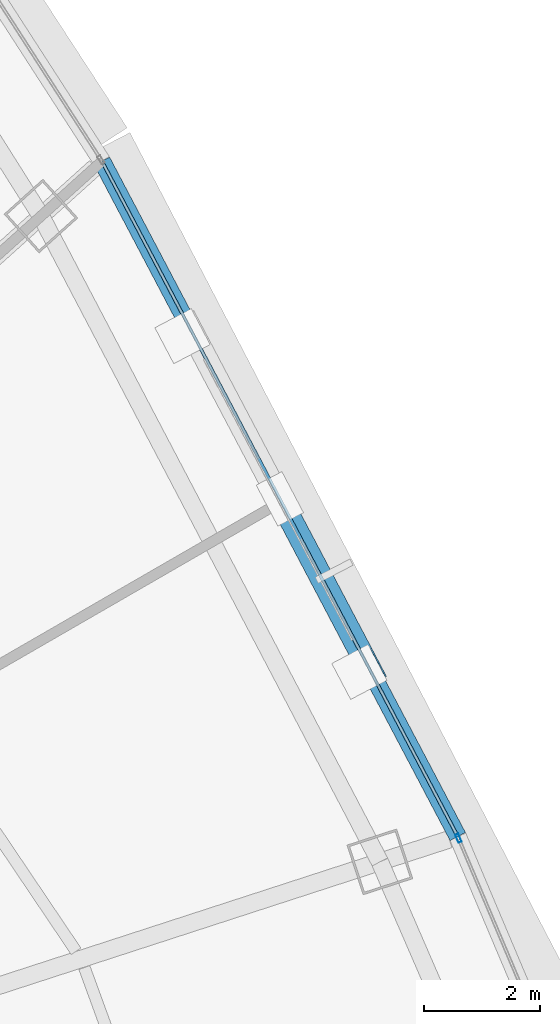
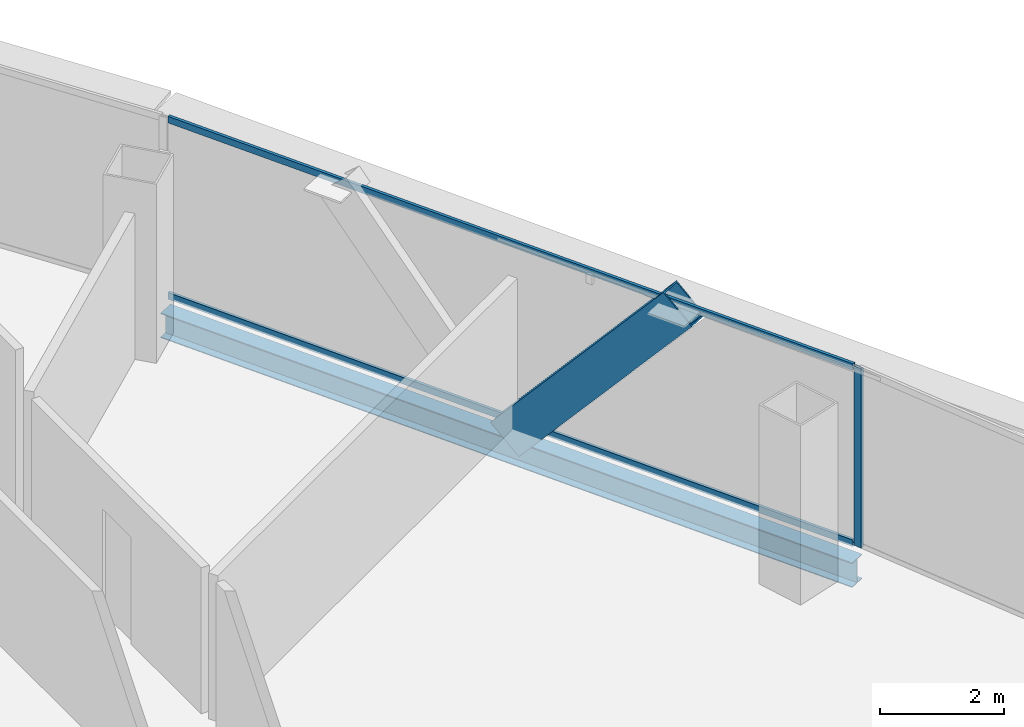
# One storey, part 25 of 36: 4 members, 1 beam, 2 elements without a shape of their own.
"""IFC4 building model written with IfcOpenShell, lengths in metres."""

from ifc_helpers import new_model, si_unit, direction, frame, origin, origin_2d, place, context, subcontext, project, spatial, hollow_rectangle, i_section, extrude, source, transform, mapped, material, layer, layer_set, material_profile, profile_set, type_object, element, aggregate, save


model = new_model("IFC4")

# Units and contexts
model_context = context("Model", 3, precision=1e-05, world=origin(), true_north=direction((0.0, 1.0)))
body_context = subcontext(model_context, "Body", "Model", "MODEL_VIEW")
ifc_project = project(units=[si_unit("LENGTHUNIT", "METRE"), si_unit("AREAUNIT", "SQUARE_METRE"), si_unit("VOLUMEUNIT", "CUBIC_METRE"), si_unit("PLANEANGLEUNIT", "RADIAN"), si_unit("MASSUNIT", "GRAM", prefix="KILO"), si_unit("THERMODYNAMICTEMPERATUREUNIT", "KELVIN"), si_unit("POWERUNIT", "WATT")], contexts=[model_context])

# Site, building, storey
site_placement = place(None, origin())
site = spatial("IfcSite", under=ifc_project, at=site_placement, CompositionType="ELEMENT")
building_placement = place(site_placement, origin())
building = spatial("IfcBuilding", under=site, at=building_placement, Name="Yunzhuo Pagoda Commons", CompositionType="ELEMENT")
storey_placement = place(building_placement, frame((0.0, 0.0, 215.159912109375)))
storey = spatial("IfcBuildingStorey", under=building, at=storey_placement, Name="L54", CompositionType="ELEMENT", Elevation=215.159912109375)

# Beam
ifc_material_1 = material(Name="Structural steel Q355B", Category="steel")
ifc_material_profile_1 = material_profile(ifc_material_1, i_section(OverallWidth=0.300048828125, OverallDepth=0.488037109375, WebThickness=0.010986328125, FlangeThickness=0.01806640625, at=origin_2d()), Name="Structural steel Q355B")
ifc_profile_set_1 = profile_set([ifc_material_profile_1], Name="Structural steel Q355B")
beam_type = type_object("IfcBeamType", Name="B-SP1 Beam HM 488x300x11x18", PredefinedType="BEAM", material=ifc_profile_set_1)
shared_shape_1 = source(origin(), body_context, "Body", "SweptSolid", [
    extrude(i_section(OverallWidth=0.300048828125, OverallDepth=0.488037109375, WebThickness=0.010986328125, FlangeThickness=0.01806640625, at=origin_2d()), origin(), (0.0, 0.0, 1.0), 13.16357421875),
])
beam_placement = place(storey_placement, frame((77.838134765625, 43.395263671875, -0.50390625), z_axis=(-0.466148454191, 0.884706515549, 0.0), x_axis=(-0.884706515549, -0.466148454191, 0.0)))
element("IfcBeam", 1, at=beam_placement, inside=storey, type_object=beam_type, Name="L54 facade edge spandrel beam F2.2", PredefinedType="BEAM", context=body_context, shape_type="MappedRepresentation", body=[
    mapped(shared_shape_1, transform((0.0, 0.0, 0.0), scale=1.0)),
])

# Member
ifc_material_profile_2 = material_profile(ifc_material_1, hollow_rectangle(XDim=0.39990234375, YDim=0.719970703125, WallThickness=0.02392578125, at=origin_2d()), Name="Structural steel Q355B")
ifc_profile_set_2 = profile_set([ifc_material_profile_2], Name="Structural steel Q355B")
member_type_1 = type_object("IfcMemberType", Name="M-DL2 Brace BOX 720x400x24", PredefinedType="BRACE", material=ifc_profile_set_2)
shared_shape_2 = source(origin(), body_context, "Body", "SweptSolid", [
    extrude(hollow_rectangle(XDim=0.39990234375, YDim=0.719970703125, WallThickness=0.02392578125, at=origin_2d()), origin(), (0.0, 0.0, 1.0), 5.01171875),
])
member_1_placement = place(storey_placement, frame((74.770263671875, 49.218017578125, -0.260009765625), z_axis=(0.306067499916, -0.58090958722, 0.754232548337), x_axis=(0.884713753039, 0.466134717849, 0.0)))
element("IfcMember", 2, at=member_1_placement, inside=storey, type_object=member_type_1, Name="L54 facade diamond brace F2.2L", PredefinedType="BRACE", context=body_context, shape_type="MappedRepresentation", body=[
    mapped(shared_shape_2, transform((0.0, 0.0, 0.0), scale=1.0)),
])

# Curtain wall, members
ifc_material_2 = material(Name="Anodized aluminium 6063-T6", Category="aluminium")
ifc_layer = layer(ifc_material_2, 0.14990234375)
ifc_layer_set = layer_set([ifc_layer], Name="Anodized aluminium 6063-T6")
curtain_wall_type = type_object("IfcCurtainWallType", Name="CW-MID Mid-Zone Ribbon Curtain Wall", PredefinedType="NOTDEFINED", material=ifc_layer_set)
curtain_wall_1_placement = place(storey_placement, origin())
curtain_wall_1 = element("IfcCurtainWall", 3, at=curtain_wall_1_placement, inside=storey, type_object=curtain_wall_type, Name="L54 curtain wall CW-L54-F2B3", PredefinedType="NOTDEFINED")
ifc_material_profile_3 = material_profile(ifc_material_2, hollow_rectangle(XDim=0.054931640625, YDim=0.1298828125, WallThickness=0.00341796875, at=origin_2d()), Name="Anodized aluminium 6063-T6")
ifc_profile_set_3 = profile_set([ifc_material_profile_3], Name="Anodized aluminium 6063-T6")
member_type_2 = type_object("IfcMemberType", Name="CW-MID-T Transom RHS 130x55x3.5", PredefinedType="USERDEFINED", material=ifc_profile_set_3)
shared_shape_3 = source(origin(), body_context, "Body", "SweptSolid", [
    extrude(hollow_rectangle(XDim=0.054931640625, YDim=0.1298828125, WallThickness=0.00341796875, at=origin_2d()), origin(), (0.0, 0.0, 1.0), 13.0439453125),
])
member_2_placement = place(storey_placement, frame((77.810302734375, 43.447998046875, 0.027587890625), z_axis=(-0.466158312333, 0.884701321262, 0.0), x_axis=(-0.884701321262, -0.466158312333, 0.0)))
member_2 = element("IfcMember", 4, at=member_2_placement, type_object=member_type_2, Name="CW transom 1.1", ObjectType="TRANSOM", PredefinedType="USERDEFINED", context=body_context, shape_type="MappedRepresentation", body=[
    mapped(shared_shape_3, transform((0.0, 0.0, 0.0), scale=1.0)),
])
member_3_placement = place(storey_placement, frame((77.810302734375, 43.447998046875, 3.49267578125), z_axis=(-0.466158312333, 0.884701321262, 0.0), x_axis=(-0.884701321262, -0.466158312333, 0.0)))
member_3 = element("IfcMember", 5, at=member_3_placement, type_object=member_type_2, Name="CW transom 1.2", ObjectType="TRANSOM", PredefinedType="USERDEFINED", context=body_context, shape_type="MappedRepresentation", body=[
    mapped(shared_shape_3, transform((0.0, 0.0, 0.0), scale=1.0)),
])
aggregate(curtain_wall_1, [member_2, member_3])

# Curtain wall, member
curtain_wall_2_placement = place(storey_placement, origin())
curtain_wall_2 = element("IfcCurtainWall", 6, at=curtain_wall_2_placement, inside=storey, type_object=curtain_wall_type, Name="L54 curtain wall CW-L54-F2B2", PredefinedType="NOTDEFINED")
ifc_material_profile_4 = material_profile(ifc_material_2, hollow_rectangle(XDim=0.06005859375, YDim=0.14990234375, WallThickness=0.00390625, at=origin_2d()), Name="Anodized aluminium 6063-T6")
ifc_profile_set_4 = profile_set([ifc_material_profile_4], Name="Anodized aluminium 6063-T6")
member_type_3 = type_object("IfcMemberType", Name="CW-MID-M Mullion RHS 150x60x4", PredefinedType="MULLION", material=ifc_profile_set_4)
shared_shape_4 = source(origin(), body_context, "Body", "SweptSolid", [
    extrude(hollow_rectangle(XDim=0.06005859375, YDim=0.14990234375, WallThickness=0.00390625, at=origin_2d()), origin(), (0.0, 0.0, 1.0), 3.52001953125),
])
member_4_placement = place(storey_placement, frame((77.85009765625, 43.367431640625, 0.0), z_axis=(0.0, 0.0, 1.0), x_axis=(-0.920979205321, -0.389611734123, 0.0)))
member_4 = element("IfcMember", 7, at=member_4_placement, type_object=member_type_3, Name="CW mullion 2", PredefinedType="MULLION", context=body_context, shape_type="MappedRepresentation", body=[
    mapped(shared_shape_4, transform((0.0, 0.0, 0.0), scale=1.0)),
])
aggregate(curtain_wall_2, [member_4])

save(model, "model.ifc")
